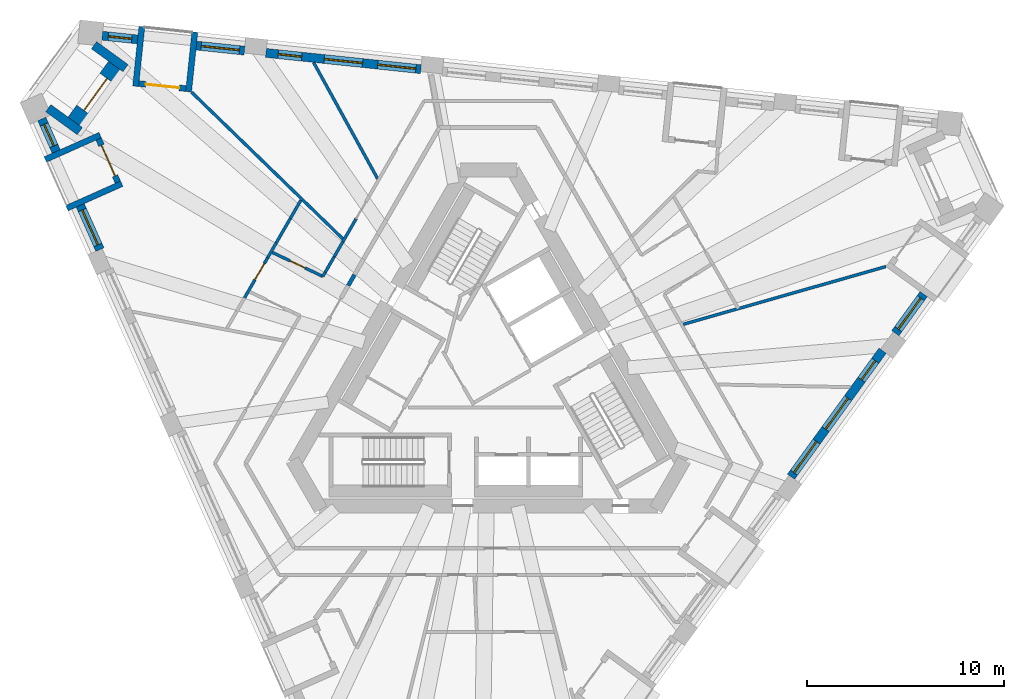
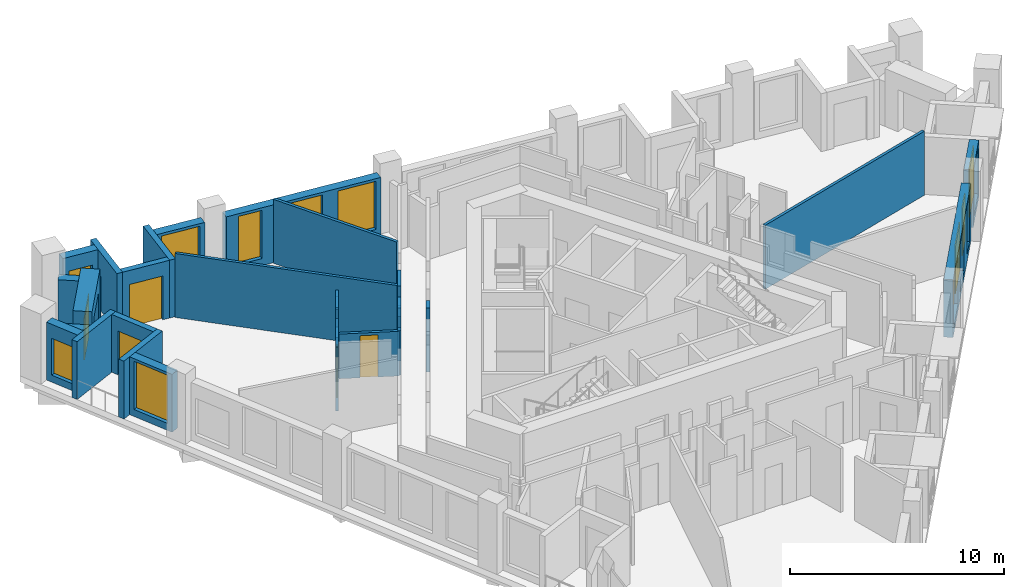
# One storey, part 6 of 11: 29 walls, 11 windows, 5 doors, 16 openings.
"""IFC4 building model written with IfcOpenShell, lengths in metres."""

from ifc_helpers import new_model, si_unit, direction, frame, frame_2d, origin, place, context, subcontext, project, spatial, rectangle, extrude, material, layer, layer_set, type_object, element, fill, save


model = new_model("IFC4")

# Units and contexts
model_context = context("Model", 3, precision=1e-05, world=origin(), true_north=direction((0.0, 1.0)))
body_context = subcontext(model_context, "Body", "Model", "MODEL_VIEW")
ifc_project = project(units=[si_unit("LENGTHUNIT", "METRE"), si_unit("AREAUNIT", "SQUARE_METRE"), si_unit("VOLUMEUNIT", "CUBIC_METRE"), si_unit("PLANEANGLEUNIT", "RADIAN"), si_unit("MASSUNIT", "GRAM", prefix="KILO")], contexts=[model_context])

# Site, building, storey
site_placement = place(None, origin())
site = spatial("IfcSite", under=ifc_project, at=site_placement, CompositionType="ELEMENT")
building_placement = place(site_placement, origin())
building = spatial("IfcBuilding", under=site, at=building_placement, Name="Tramontana Tower", CompositionType="ELEMENT")
storey_placement = place(building_placement, frame((0.0, 0.0, 257.199951171875)))
storey = spatial("IfcBuildingStorey", under=building, at=storey_placement, Name="L60", CompositionType="ELEMENT", Elevation=257.199951171875)

# Wall
ifc_material_1 = material(Name="Blockwork", Category="masonry")
ifc_layer_1 = layer(ifc_material_1, 0.199951171875)
ifc_layer_set_1 = layer_set([ifc_layer_1], Name="ENTRY WALL 200")
wall_type_1 = type_object("IfcWallType", Name="ENTRY WALL 200", PredefinedType="SOLIDWALL", material=ifc_layer_set_1)
wall_1_placement = place(storey_placement, frame((-7.11181640625, 4.78173828125, 0.0), z_axis=(0.0, 0.0, 1.0), x_axis=(0.499956208541, 0.866050685319, 0.0)))
element("IfcWall", 1, at=wall_1_placement, inside=storey, type_object=wall_type_1, Name="Wall v61-ew3-6", PredefinedType="SOLIDWALL", context=body_context, shape_type="SweptSolid", body=[
    extrude(rectangle(XDim=0.6328125, YDim=0.199951171875, at=frame_2d((0.31640625, 0.0))), origin(), (0.0, 0.0, 1.0), 3.650146484375),
])

# Wall, opening, window
ifc_material_2 = material(Name="Precast concrete 60 MPa", Category="concrete")
ifc_layer_2 = layer(ifc_material_2, 0.449951171875)
ifc_layer_set_2 = layer_set([ifc_layer_2], Name="Precast concrete 60 MPa, 450 mm")
wall_type_2 = type_object("IfcWallType", Name="EW1 Stone-faced precast wall 450", PredefinedType="SOLIDWALL", material=ifc_layer_set_2)
wall_2_placement = place(storey_placement, frame((-22.67041015625, 13.240478515625, 0.0), z_axis=(0.0, 0.0, 1.0), x_axis=(0.406779346191, -0.913526443795, 0.0)))
wall_2 = element("IfcWall", 2, at=wall_2_placement, inside=storey, type_object=wall_type_2, Name="External wall L60 face 0 bay 1", PredefinedType="SOLIDWALL", context=body_context, shape_type="SweptSolid", body=[
    extrude(rectangle(XDim=1.80224609375, YDim=0.449951171875, at=frame_2d((0.901123046875, 0.0))), origin(), (0.0, 0.0, 1.0), 3.300048828125),
])
opening_1_placement = place(wall_2_placement, frame((0.301025390625, 0.0, 0.39990234375)))
opening_1 = element("IfcOpeningElement", 3, at=opening_1_placement, cuts=wall_2, Name="Opening N3L", PredefinedType="OPENING", context=body_context, shape_type="SweptSolid", body=[
    extrude(rectangle(XDim=1.199951171875, YDim=2.10009765625, at=frame_2d((0.60009765625, 1.050048828125))), frame((0.0, 0.23486328125, 0.0), z_axis=(0.0, -1.0, 0.0), x_axis=(1.0, 0.0, 0.0)), (0.0, 0.0, 1.0), 0.469970703125),
])
ifc_material_3 = material(Name="Aluminum frame, double glazing unit", Category="aluminium")
window_type_1 = type_object("IfcWindowType", Name="N3L Window 1.2 x 2.1", PartitioningType="SINGLE_PANEL", PredefinedType="WINDOW", material=ifc_material_3)
window_1_placement = place(opening_1_placement, origin())
window_1 = element("IfcWindow", 4, at=window_1_placement, inside=storey, type_object=window_type_1, Name="Window N3L L60 face 0 module 1", OverallHeight=2.10009765625, OverallWidth=1.199951171875, PartitioningType="SINGLE_PANEL", PredefinedType="WINDOW", context=body_context, shape_type="SweptSolid", body=[
    extrude(rectangle(XDim=1.199951171875, YDim=2.10009765625, at=frame_2d((0.60009765625, 1.050048828125))), frame((0.0, 0.030029296875, 0.0), z_axis=(0.0, -1.0, 0.0), x_axis=(1.0, 0.0, 0.0)), (0.0, 0.0, 1.0), 0.06005859375),
])
fill(opening_1, window_1)

wall_3_placement = place(storey_placement, frame((-20.71630859375, 8.851318359375, 0.0), z_axis=(0.0, 0.0, 1.0), x_axis=(0.406821962592, -0.913507466172, 0.0)))
wall_3 = element("IfcWall", 5, at=wall_3_placement, inside=storey, type_object=wall_type_2, Name="External wall L60 face 0 bay 1", PredefinedType="SOLIDWALL", context=body_context, shape_type="SweptSolid", body=[
    extrude(rectangle(XDim=2.4521484375, YDim=0.449951171875, at=frame_2d((1.22607421875, 0.0))), origin(), (0.0, 0.0, 1.0), 3.300048828125),
])
opening_2_placement = place(wall_3_placement, frame((0.251220703125, 0.0, 0.39990234375)))
opening_2 = element("IfcOpeningElement", 6, at=opening_2_placement, cuts=wall_3, Name="Opening M3", PredefinedType="OPENING", context=body_context, shape_type="SweptSolid", body=[
    extrude(rectangle(XDim=1.949951171875, YDim=2.75, at=frame_2d((0.97509765625, 1.375))), frame((0.0, 0.23486328125, 0.0), z_axis=(0.0, -1.0, 0.0), x_axis=(1.0, 0.0, 0.0)), (0.0, 0.0, 1.0), 0.469970703125),
])
ifc_material_4 = material(Name="Aluminum frame, double glazing unit", Category="aluminium")
window_type_2 = type_object("IfcWindowType", Name="M3 Window 1.95 x 2.75", PartitioningType="SINGLE_PANEL", PredefinedType="WINDOW", material=ifc_material_4)
window_2_placement = place(opening_2_placement, origin())
window_2 = element("IfcWindow", 7, at=window_2_placement, inside=storey, type_object=window_type_2, Name="Window M3 L60 face 0 module 3", OverallHeight=2.75, OverallWidth=1.949951171875, PartitioningType="SINGLE_PANEL", PredefinedType="WINDOW", context=body_context, shape_type="SweptSolid", body=[
    extrude(rectangle(XDim=1.949951171875, YDim=2.75, at=frame_2d((0.97509765625, 1.375))), frame((0.0, 0.030029296875, 0.0), z_axis=(0.0, -1.0, 0.0), x_axis=(1.0, 0.0, 0.0)), (0.0, 0.0, 1.0), 0.06005859375),
])
fill(opening_2, window_2)

# Wall, openings, windows
wall_4_placement = place(storey_placement, frame((15.368408203125, -4.919677734375, 0.0), z_axis=(0.0, 0.0, 1.0), x_axis=(0.587782407267, 0.809019061399, 0.0)))
wall_4 = element("IfcWall", 8, at=wall_4_placement, inside=storey, type_object=wall_type_2, Name="External wall L60 face 1 bay 4", PredefinedType="SOLIDWALL", context=body_context, shape_type="SweptSolid", body=[
    extrude(rectangle(XDim=7.90673828125, YDim=0.449951171875, at=frame_2d((3.953369140625, 0.0))), origin(), (0.0, 0.0, 1.0), 3.300048828125),
])
opening_3_placement = place(wall_4_placement, frame((0.251220703125, 0.0, 0.39990234375)))
opening_3 = element("IfcOpeningElement", 9, at=opening_3_placement, cuts=wall_4, Name="Opening M3", PredefinedType="OPENING", context=body_context, shape_type="SweptSolid", body=[
    extrude(rectangle(XDim=1.949951171875, YDim=2.75, at=frame_2d((0.97509765625, 1.375))), frame((0.0, 0.23486328125, 0.0), z_axis=(0.0, -1.0, 0.0), x_axis=(1.0, 0.0, 0.0)), (0.0, 0.0, 1.0), 0.469970703125),
])
opening_4_placement = place(wall_4_placement, frame((2.978271484375, 0.0, 0.39990234375)))
opening_4 = element("IfcOpeningElement", 10, at=opening_4_placement, cuts=wall_4, Name="Opening M3", PredefinedType="OPENING", context=body_context, shape_type="SweptSolid", body=[
    extrude(rectangle(XDim=1.949951171875, YDim=2.75, at=frame_2d((0.97509765625, 1.375))), frame((0.0, 0.23486328125, 0.0), z_axis=(0.0, -1.0, 0.0), x_axis=(1.0, 0.0, 0.0)), (0.0, 0.0, 1.0), 0.469970703125),
])
opening_5_placement = place(wall_4_placement, frame((6.08056640625, 0.0, 0.39990234375)))
opening_5 = element("IfcOpeningElement", 11, at=opening_5_placement, cuts=wall_4, Name="Opening N3", PredefinedType="OPENING", context=body_context, shape_type="SweptSolid", body=[
    extrude(rectangle(XDim=1.199951171875, YDim=2.75, at=frame_2d((0.60009765625, 1.375))), frame((0.0, 0.23486328125, 0.0), z_axis=(0.0, -1.0, 0.0), x_axis=(1.0, 0.0, 0.0)), (0.0, 0.0, 1.0), 0.469970703125),
])
window_3_placement = place(opening_3_placement, origin())
window_3 = element("IfcWindow", 12, at=window_3_placement, inside=storey, type_object=window_type_2, Name="Window M3 L60 face 1 module 10", OverallHeight=2.75, OverallWidth=1.949951171875, PartitioningType="SINGLE_PANEL", PredefinedType="WINDOW", context=body_context, shape_type="SweptSolid", body=[
    extrude(rectangle(XDim=1.949951171875, YDim=2.75, at=frame_2d((0.97509765625, 1.375))), frame((0.0, 0.030029296875, 0.0), z_axis=(0.0, -1.0, 0.0), x_axis=(1.0, 0.0, 0.0)), (0.0, 0.0, 1.0), 0.06005859375),
])
fill(opening_3, window_3)
window_4_placement = place(opening_4_placement, origin())
window_4 = element("IfcWindow", 13, at=window_4_placement, inside=storey, type_object=window_type_2, Name="Window M3 L60 face 1 module 11", OverallHeight=2.75, OverallWidth=1.949951171875, PartitioningType="SINGLE_PANEL", PredefinedType="WINDOW", context=body_context, shape_type="SweptSolid", body=[
    extrude(rectangle(XDim=1.949951171875, YDim=2.75, at=frame_2d((0.97509765625, 1.375))), frame((0.0, 0.030029296875, 0.0), z_axis=(0.0, -1.0, 0.0), x_axis=(1.0, 0.0, 0.0)), (0.0, 0.0, 1.0), 0.06005859375),
])
fill(opening_4, window_4)
ifc_material_5 = material(Name="Aluminum frame, double glazing unit", Category="aluminium")
window_type_3 = type_object("IfcWindowType", Name="N3 Window 1.2 x 2.75", PartitioningType="SINGLE_PANEL", PredefinedType="WINDOW", material=ifc_material_5)
window_5_placement = place(opening_5_placement, origin())
window_5 = element("IfcWindow", 14, at=window_5_placement, inside=storey, type_object=window_type_3, Name="Window N3 L60 face 1 module 12", OverallHeight=2.75, OverallWidth=1.199951171875, PartitioningType="SINGLE_PANEL", PredefinedType="WINDOW", context=body_context, shape_type="SweptSolid", body=[
    extrude(rectangle(XDim=1.199951171875, YDim=2.75, at=frame_2d((0.60009765625, 1.375))), frame((0.0, 0.030029296875, 0.0), z_axis=(0.0, -1.0, 0.0), x_axis=(1.0, 0.0, 0.0)), (0.0, 0.0, 1.0), 0.06005859375),
])
fill(opening_5, window_5)

# Wall, opening, window
wall_5_placement = place(storey_placement, frame((20.662353515625, 2.366943359375, 0.0), z_axis=(0.0, 0.0, 1.0), x_axis=(0.587792773076, 0.809011530152, 0.0)))
wall_5 = element("IfcWall", 15, at=wall_5_placement, inside=storey, type_object=wall_type_2, Name="External wall L60 face 1 bay 5", PredefinedType="SOLIDWALL", context=body_context, shape_type="SweptSolid", body=[
    extrude(rectangle(XDim=2.4521484375, YDim=0.449951171875, at=frame_2d((1.22607421875, 0.0))), origin(), (0.0, 0.0, 1.0), 3.300048828125),
])
opening_6_placement = place(wall_5_placement, frame((0.251220703125, 0.0, 0.39990234375)))
opening_6 = element("IfcOpeningElement", 16, at=opening_6_placement, cuts=wall_5, Name="Opening M3", PredefinedType="OPENING", context=body_context, shape_type="SweptSolid", body=[
    extrude(rectangle(XDim=1.949951171875, YDim=2.75, at=frame_2d((0.97509765625, 1.375))), frame((0.0, 0.23486328125, 0.0), z_axis=(0.0, -1.0, 0.0), x_axis=(1.0, 0.0, 0.0)), (0.0, 0.0, 1.0), 0.469970703125),
])
window_6_placement = place(opening_6_placement, origin())
window_6 = element("IfcWindow", 17, at=window_6_placement, inside=storey, type_object=window_type_2, Name="Window M3 L60 face 1 module 13", OverallHeight=2.75, OverallWidth=1.949951171875, PartitioningType="SINGLE_PANEL", PredefinedType="WINDOW", context=body_context, shape_type="SweptSolid", body=[
    extrude(rectangle(XDim=1.949951171875, YDim=2.75, at=frame_2d((0.97509765625, 1.375))), frame((0.0, 0.030029296875, 0.0), z_axis=(0.0, -1.0, 0.0), x_axis=(1.0, 0.0, 0.0)), (0.0, 0.0, 1.0), 0.06005859375),
])
fill(opening_6, window_6)

# Wall, openings, windows
wall_6_placement = place(storey_placement, frame((-3.423828125, 15.769287109375, 0.0), z_axis=(0.0, 0.0, 1.0), x_axis=(-0.994522528385, 0.104522440343, 0.0)))
wall_6 = element("IfcWall", 18, at=wall_6_placement, inside=storey, type_object=wall_type_2, Name="External wall L60 face 2 bay 4", PredefinedType="SOLIDWALL", context=body_context, shape_type="SweptSolid", body=[
    extrude(rectangle(XDim=7.906494140625, YDim=0.449951171875, at=frame_2d((3.953125, 0.0))), origin(), (0.0, 0.0, 1.0), 3.300048828125),
])
opening_7_placement = place(wall_6_placement, frame((0.251220703125, 0.0, 0.39990234375)))
opening_7 = element("IfcOpeningElement", 19, at=opening_7_placement, cuts=wall_6, Name="Opening M3", PredefinedType="OPENING", context=body_context, shape_type="SweptSolid", body=[
    extrude(rectangle(XDim=1.949951171875, YDim=2.75, at=frame_2d((0.97509765625, 1.375))), frame((0.0, 0.23486328125, 0.0), z_axis=(0.0, -1.0, 0.0), x_axis=(1.0, 0.0, 0.0)), (0.0, 0.0, 1.0), 0.469970703125),
])
opening_8_placement = place(wall_6_placement, frame((2.978271484375, 0.0, 0.39990234375)))
opening_8 = element("IfcOpeningElement", 20, at=opening_8_placement, cuts=wall_6, Name="Opening M3", PredefinedType="OPENING", context=body_context, shape_type="SweptSolid", body=[
    extrude(rectangle(XDim=1.949951171875, YDim=2.75, at=frame_2d((0.97509765625, 1.375))), frame((0.0, 0.23486328125, 0.0), z_axis=(0.0, -1.0, 0.0), x_axis=(1.0, 0.0, 0.0)), (0.0, 0.0, 1.0), 0.469970703125),
])
opening_9_placement = place(wall_6_placement, frame((6.08056640625, 0.0, 0.39990234375)))
opening_9 = element("IfcOpeningElement", 21, at=opening_9_placement, cuts=wall_6, Name="Opening N3", PredefinedType="OPENING", context=body_context, shape_type="SweptSolid", body=[
    extrude(rectangle(XDim=1.199951171875, YDim=2.75, at=frame_2d((0.60009765625, 1.375))), frame((0.0, 0.23486328125, 0.0), z_axis=(0.0, -1.0, 0.0), x_axis=(1.0, 0.0, 0.0)), (0.0, 0.0, 1.0), 0.469970703125),
])
window_7_placement = place(opening_7_placement, origin())
window_7 = element("IfcWindow", 22, at=window_7_placement, inside=storey, type_object=window_type_2, Name="Window M3 L60 face 2 module 10", OverallHeight=2.75, OverallWidth=1.949951171875, PartitioningType="SINGLE_PANEL", PredefinedType="WINDOW", context=body_context, shape_type="SweptSolid", body=[
    extrude(rectangle(XDim=1.949951171875, YDim=2.75, at=frame_2d((0.97509765625, 1.375))), frame((0.0, 0.030029296875, 0.0), z_axis=(0.0, -1.0, 0.0), x_axis=(1.0, 0.0, 0.0)), (0.0, 0.0, 1.0), 0.06005859375),
])
fill(opening_7, window_7)
window_8_placement = place(opening_8_placement, origin())
window_8 = element("IfcWindow", 23, at=window_8_placement, inside=storey, type_object=window_type_2, Name="Window M3 L60 face 2 module 11", OverallHeight=2.75, OverallWidth=1.949951171875, PartitioningType="SINGLE_PANEL", PredefinedType="WINDOW", context=body_context, shape_type="SweptSolid", body=[
    extrude(rectangle(XDim=1.949951171875, YDim=2.75, at=frame_2d((0.97509765625, 1.375))), frame((0.0, 0.030029296875, 0.0), z_axis=(0.0, -1.0, 0.0), x_axis=(1.0, 0.0, 0.0)), (0.0, 0.0, 1.0), 0.06005859375),
])
fill(opening_8, window_8)
window_9_placement = place(opening_9_placement, origin())
window_9 = element("IfcWindow", 24, at=window_9_placement, inside=storey, type_object=window_type_3, Name="Window N3 L60 face 2 module 12", OverallHeight=2.75, OverallWidth=1.199951171875, PartitioningType="SINGLE_PANEL", PredefinedType="WINDOW", context=body_context, shape_type="SweptSolid", body=[
    extrude(rectangle(XDim=1.199951171875, YDim=2.75, at=frame_2d((0.60009765625, 1.375))), frame((0.0, 0.030029296875, 0.0), z_axis=(0.0, -1.0, 0.0), x_axis=(1.0, 0.0, 0.0)), (0.0, 0.0, 1.0), 0.06005859375),
])
fill(opening_9, window_9)

# Wall, opening, window
wall_7_placement = place(storey_placement, frame((-12.381103515625, 16.710693359375, 0.0), z_axis=(0.0, 0.0, 1.0), x_axis=(-0.994520717537, 0.104539668977, 0.0)))
wall_7 = element("IfcWall", 25, at=wall_7_placement, inside=storey, type_object=wall_type_2, Name="External wall L60 face 2 bay 5", PredefinedType="SOLIDWALL", context=body_context, shape_type="SweptSolid", body=[
    extrude(rectangle(XDim=2.4521484375, YDim=0.449951171875, at=frame_2d((1.22607421875, 0.0))), origin(), (0.0, 0.0, 1.0), 3.300048828125),
])
opening_10_placement = place(wall_7_placement, frame((0.251220703125, 0.0, 0.39990234375)))
opening_10 = element("IfcOpeningElement", 26, at=opening_10_placement, cuts=wall_7, Name="Opening M3", PredefinedType="OPENING", context=body_context, shape_type="SweptSolid", body=[
    extrude(rectangle(XDim=1.949951171875, YDim=2.75, at=frame_2d((0.97509765625, 1.375))), frame((0.0, 0.23486328125, 0.0), z_axis=(0.0, -1.0, 0.0), x_axis=(1.0, 0.0, 0.0)), (0.0, 0.0, 1.0), 0.469970703125),
])
window_10_placement = place(opening_10_placement, origin())
window_10 = element("IfcWindow", 27, at=window_10_placement, inside=storey, type_object=window_type_2, Name="Window M3 L60 face 2 module 13", OverallHeight=2.75, OverallWidth=1.949951171875, PartitioningType="SINGLE_PANEL", PredefinedType="WINDOW", context=body_context, shape_type="SweptSolid", body=[
    extrude(rectangle(XDim=1.949951171875, YDim=2.75, at=frame_2d((0.97509765625, 1.375))), frame((0.0, 0.030029296875, 0.0), z_axis=(0.0, -1.0, 0.0), x_axis=(1.0, 0.0, 0.0)), (0.0, 0.0, 1.0), 0.06005859375),
])
fill(opening_10, window_10)

wall_8_placement = place(storey_placement, frame((-17.8056640625, 17.28076171875, 0.0), z_axis=(0.0, 0.0, 1.0), x_axis=(-0.994515840559, 0.104586054885, 0.0)))
wall_8 = element("IfcWall", 28, at=wall_8_placement, inside=storey, type_object=wall_type_2, Name="External wall L60 face 2 bay 5", PredefinedType="SOLIDWALL", context=body_context, shape_type="SweptSolid", body=[
    extrude(rectangle(XDim=1.802001953125, YDim=0.449951171875, at=frame_2d((0.90087890625, 0.0))), origin(), (0.0, 0.0, 1.0), 3.300048828125),
])
opening_11_placement = place(wall_8_placement, frame((0.301025390625, 0.0, 0.39990234375)))
opening_11 = element("IfcOpeningElement", 29, at=opening_11_placement, cuts=wall_8, Name="Opening N3L", PredefinedType="OPENING", context=body_context, shape_type="SweptSolid", body=[
    extrude(rectangle(XDim=1.199951171875, YDim=2.10009765625, at=frame_2d((0.60009765625, 1.050048828125))), frame((0.0, 0.23486328125, 0.0), z_axis=(0.0, -1.0, 0.0), x_axis=(1.0, 0.0, 0.0)), (0.0, 0.0, 1.0), 0.469970703125),
])
window_11_placement = place(opening_11_placement, origin())
window_11 = element("IfcWindow", 30, at=window_11_placement, inside=storey, type_object=window_type_1, Name="Window N3L L60 face 2 module 15", OverallHeight=2.10009765625, OverallWidth=1.199951171875, PartitioningType="SINGLE_PANEL", PredefinedType="WINDOW", context=body_context, shape_type="SweptSolid", body=[
    extrude(rectangle(XDim=1.199951171875, YDim=2.10009765625, at=frame_2d((0.60009765625, 1.050048828125))), frame((0.0, 0.030029296875, 0.0), z_axis=(0.0, -1.0, 0.0), x_axis=(1.0, 0.0, 0.0)), (0.0, 0.0, 1.0), 0.06005859375),
])
fill(opening_11, window_11)

# Walls
for number, where, z_axis, x_axis, name in (
    (31, (-22.34033203125, 13.7900390625, 0.0), (0.0, 0.0, 1.0), (0.809040012586, -0.587753569138, 0.0), "Corner loggia side wall L60 K60l"),
    (32, (-20.0185546875, 16.985595703125, 0.0), (0.0, 0.0, 1.0), (0.809040012586, -0.587753569138, 0.0), "Corner loggia side wall L60 K60r"),
):
    element("IfcWall", number, at=place(storey_placement, frame(where, z_axis=z_axis, x_axis=x_axis)), inside=storey, type_object=wall_type_2, Name=name, PredefinedType="SOLIDWALL", context=body_context, shape_type="SweptSolid", body=[
        extrude(rectangle(XDim=1.979248046875, YDim=0.449951171875, at=frame_2d((0.98974609375, 0.0))), origin(), (0.0, 0.0, 1.0), 2.550048828125),
    ])

# Wall, opening, door
ifc_material_6 = material(Name="Precast concrete 60 MPa", Category="concrete")
ifc_layer_3 = layer(ifc_material_6, 0.89990234375)
ifc_layer_set_3 = layer_set([ifc_layer_3], Name="EW2 Stone-faced corner loggia wall 900")
wall_type_3 = type_object("IfcWallType", Name="EW2 Stone-faced corner loggia wall 900", PredefinedType="SOLIDWALL", material=ifc_layer_set_3)
wall_9_placement = place(storey_placement, frame((-20.970947265625, 13.0732421875, 0.0), z_axis=(0.0, 0.0, 1.0), x_axis=(0.587810807352, 0.808998426921, 0.0)))
wall_9 = element("IfcWall", 33, at=wall_9_placement, inside=storey, type_object=wall_type_3, Name="Corner loggia wall L60 K60", PredefinedType="SOLIDWALL", context=body_context, shape_type="SweptSolid", body=[
    extrude(rectangle(XDim=3.5, YDim=0.89990234375, at=frame_2d((1.75, 0.0))), origin(), (0.0, 0.0, 1.0), 3.300048828125),
])
opening_12_placement = place(wall_9_placement, frame((0.75, 0.0, 0.0)))
opening_12 = element("IfcOpeningElement", 34, at=opening_12_placement, cuts=wall_9, Name="Opening BD-60C", PredefinedType="OPENING", context=body_context, shape_type="SweptSolid", body=[
    extrude(rectangle(XDim=2.0, YDim=2.39990234375, at=frame_2d((1.0, 1.199951171875))), frame((0.0, 0.4599609375, 0.0), z_axis=(0.0, -1.0, 0.0), x_axis=(1.0, 0.0, 0.0)), (0.0, 0.0, 1.0), 0.919921875),
])
ifc_material_7 = material(Name="Aluminum frame, double glazing unit", Category="aluminium")
door_type_1 = type_object("IfcDoorType", Name="BC1 Sliding door 2 x 2.4", OperationType="SLIDING_TO_LEFT", PredefinedType="DOOR", material=ifc_material_7)
door_1_placement = place(opening_12_placement, origin())
door_1 = element("IfcDoor", 35, at=door_1_placement, inside=storey, type_object=door_type_1, Name="Corner loggia door L60 K60", OperationType="SLIDING_TO_LEFT", OverallHeight=2.39990234375, OverallWidth=2.0, PredefinedType="DOOR", context=body_context, shape_type="SweptSolid", body=[
    extrude(rectangle(XDim=2.0, YDim=2.39990234375, at=frame_2d((1.0, 1.199951171875))), frame((0.0, 0.02490234375, 0.0), z_axis=(0.0, -1.0, 0.0), x_axis=(1.0, 0.0, 0.0)), (0.0, 0.0, 1.0), 0.050048828125),
])
fill(opening_12, door_1)

ifc_material_8 = material(Name="Precast concrete 60 MPa", Category="concrete")
ifc_layer_4 = layer(ifc_material_8, 0.300048828125)
ifc_layer_set_4 = layer_set([ifc_layer_4], Name="LW1 Stone-faced loggia wall 300")
wall_type_4 = type_object("IfcWallType", Name="LW1 Stone-faced loggia wall 300", PredefinedType="SOLIDWALL", material=ifc_layer_set_4)
wall_10_placement = place(storey_placement, frame((-19.78271484375, 12.22509765625, 0.0), z_axis=(0.0, 0.0, 1.0), x_axis=(0.406723017018, -0.913551524232, 0.0)))
wall_10 = element("IfcWall", 36, at=wall_10_placement, inside=storey, type_object=wall_type_4, Name="Loggia wall L60 G6S0.1", PredefinedType="SOLIDWALL", context=body_context, shape_type="SweptSolid", body=[
    extrude(rectangle(XDim=2.40234375, YDim=0.300048828125, at=frame_2d((1.201171875, 0.0))), origin(), (0.0, 0.0, 1.0), 3.300048828125),
])
opening_13_placement = place(wall_10_placement, frame((0.35107421875, 0.0, 0.0)))
opening_13 = element("IfcOpeningElement", 37, at=opening_13_placement, cuts=wall_10, Name="Opening BD-6S0-01", PredefinedType="OPENING", context=body_context, shape_type="SweptSolid", body=[
    extrude(rectangle(XDim=1.699951171875, YDim=2.5, at=frame_2d((0.85009765625, 1.25))), frame((0.0, 0.159912109375, 0.0), z_axis=(0.0, -1.0, 0.0), x_axis=(1.0, 0.0, 0.0)), (0.0, 0.0, 1.0), 0.320068359375),
])
ifc_material_9 = material(Name="Aluminum frame, double glazing unit", Category="aluminium")
door_type_2 = type_object("IfcDoorType", Name="BD3 Sliding door 1.7 x 2.5", OperationType="SLIDING_TO_LEFT", PredefinedType="DOOR", material=ifc_material_9)
door_2_placement = place(opening_13_placement, origin())
door_2 = element("IfcDoor", 38, at=door_2_placement, inside=storey, type_object=door_type_2, Name="Loggia door L60 G6S0.1", OperationType="SLIDING_TO_LEFT", OverallHeight=2.5, OverallWidth=1.699951171875, PredefinedType="DOOR", context=body_context, shape_type="SweptSolid", body=[
    extrude(rectangle(XDim=1.699951171875, YDim=2.5, at=frame_2d((0.85009765625, 1.25))), frame((0.0, 0.02490234375, 0.0), z_axis=(0.0, -1.0, 0.0), x_axis=(1.0, 0.0, 0.0)), (0.0, 0.0, 1.0), 0.050048828125),
])
fill(opening_13, door_2)

# Walls
wall_11_placement = place(storey_placement, frame((-22.492919921875, 11.1826171875, 0.0), z_axis=(0.0, 0.0, 1.0), x_axis=(0.913557205168, 0.406710256677, 0.0)))
element("IfcWall", 39, at=wall_11_placement, inside=storey, type_object=wall_type_4, Name="Loggia return L60 G6S0.1a", PredefinedType="SOLIDWALL", context=body_context, shape_type="SweptSolid", body=[
    extrude(rectangle(XDim=3.050048828125, YDim=0.300048828125, at=frame_2d((1.52490234375, 0.0))), origin(), (0.0, 0.0, 1.0), 3.300048828125),
])
wall_12_placement = place(storey_placement, frame((-21.393798828125, 8.7138671875, 0.0), z_axis=(0.0, 0.0, 1.0), x_axis=(0.91354396316, 0.406739999721, 0.0)))
element("IfcWall", 40, at=wall_12_placement, inside=storey, type_object=wall_type_4, Name="Loggia return L60 G6S0.1b", PredefinedType="SOLIDWALL", context=body_context, shape_type="SweptSolid", body=[
    extrude(rectangle(XDim=3.0498046875, YDim=0.300048828125, at=frame_2d((1.52490234375, 0.0))), origin(), (0.0, 0.0, 1.0), 3.300048828125),
])

# Wall, opening, door
wall_13_placement = place(storey_placement, frame((-15.350830078125, 14.78564453125, 0.0), z_axis=(0.0, 0.0, 1.0), x_axis=(-0.994526595554, 0.104483734311, 0.0)))
wall_13 = element("IfcWall", 41, at=wall_13_placement, inside=storey, type_object=wall_type_4, Name="Loggia wall L60 G6S2.13", PredefinedType="SOLIDWALL", context=body_context, shape_type="SweptSolid", body=[
    extrude(rectangle(XDim=2.402099609375, YDim=0.300048828125, at=frame_2d((1.201171875, 0.0))), origin(), (0.0, 0.0, 1.0), 3.300048828125),
])
opening_14_placement = place(wall_13_placement, frame((0.35107421875, 0.0, 0.0)))
opening_14 = element("IfcOpeningElement", 42, at=opening_14_placement, cuts=wall_13, Name="Opening BD-6S2-13", PredefinedType="OPENING", context=body_context, shape_type="SweptSolid", body=[
    extrude(rectangle(XDim=1.699951171875, YDim=2.5, at=frame_2d((0.85009765625, 1.25))), frame((0.0, 0.159912109375, 0.0), z_axis=(0.0, -1.0, 0.0), x_axis=(1.0, 0.0, 0.0)), (0.0, 0.0, 1.0), 0.320068359375),
])
door_3_placement = place(opening_14_placement, origin())
door_3 = element("IfcDoor", 43, at=door_3_placement, inside=storey, type_object=door_type_2, Name="Loggia door L60 G6S2.13", OperationType="SLIDING_TO_LEFT", OverallHeight=2.5, OverallWidth=1.699951171875, PredefinedType="DOOR", context=body_context, shape_type="SweptSolid", body=[
    extrude(rectangle(XDim=1.699951171875, YDim=2.5, at=frame_2d((0.85009765625, 1.25))), frame((0.0, 0.02490234375, 0.0), z_axis=(0.0, -1.0, 0.0), x_axis=(1.0, 0.0, 0.0)), (0.0, 0.0, 1.0), 0.050048828125),
])
fill(opening_14, door_3)

# Walls
wall_14_placement = place(storey_placement, frame((-14.8984375, 17.654052734375, 0.0), z_axis=(0.0, 0.0, 1.0), x_axis=(-0.104543108891, -0.994520355942, 0.0)))
element("IfcWall", 44, at=wall_14_placement, inside=storey, type_object=wall_type_4, Name="Loggia return L60 G6S2.13a", PredefinedType="SOLIDWALL", context=body_context, shape_type="SweptSolid", body=[
    extrude(rectangle(XDim=3.0498046875, YDim=0.300048828125, at=frame_2d((1.52490234375, 0.0))), origin(), (0.0, 0.0, 1.0), 3.300048828125),
])
wall_15_placement = place(storey_placement, frame((-17.5859375, 17.9365234375, 0.0), z_axis=(0.0, 0.0, 1.0), x_axis=(-0.104534786906, -0.994521230707, 0.0)))
element("IfcWall", 45, at=wall_15_placement, inside=storey, type_object=wall_type_4, Name="Loggia return L60 G6S2.13b", PredefinedType="SOLIDWALL", context=body_context, shape_type="SweptSolid", body=[
    extrude(rectangle(XDim=3.050048828125, YDim=0.300048828125, at=frame_2d((1.52490234375, 0.0))), origin(), (0.0, 0.0, 1.0), 3.300048828125),
])
ifc_material_10 = material(Name="Gypsum board partition")
ifc_layer_5 = layer(ifc_material_10, 0.14990234375)
ifc_layer_set_5 = layer_set([ifc_layer_5], Name="PARTITION 150")
wall_type_5 = type_object("IfcWallType", Name="PARTITION 150", PredefinedType="PARTITIONING", material=ifc_layer_set_5)
wall_16_placement = place(storey_placement, frame((-15.068115234375, 14.60498046875, 0.0), z_axis=(0.0, 0.0, 1.0), x_axis=(0.718053113918, -0.695988308517, 0.0)))
element("IfcWall", 46, at=wall_16_placement, inside=storey, type_object=wall_type_5, Name="Wall v61-pw00", PredefinedType="PARTITIONING", context=body_context, shape_type="SweptSolid", body=[
    extrude(rectangle(XDim=10.699462890625, YDim=0.14990234375, at=frame_2d((5.349609375, 0.0))), origin(), (0.0, 0.0, 1.0), 3.650146484375),
])

# Wall, opening, door
wall_17_placement = place(storey_placement, frame((-12.376220703125, 4.16357421875, 0.0), z_axis=(0.0, 0.0, 1.0), x_axis=(0.499998569178, 0.866026229868, 0.0)))
wall_17 = element("IfcWall", 47, at=wall_17_placement, inside=storey, type_object=wall_type_5, Name="Wall v61-pw02-2", PredefinedType="PARTITIONING", context=body_context, shape_type="SweptSolid", body=[
    extrude(rectangle(XDim=2.34716796875, YDim=0.14990234375, at=frame_2d((1.173583984375, 0.0))), origin(), (0.0, 0.0, 1.0), 3.650146484375),
])
opening_15_placement = place(wall_17_placement, frame((1.06396484375, 0.0, 0.0)))
opening_15 = element("IfcOpeningElement", 48, at=opening_15_placement, cuts=wall_17, Name="Opening B6B-03", PredefinedType="OPENING", context=body_context, shape_type="SweptSolid", body=[
    extrude(rectangle(XDim=0.949951171875, YDim=2.39990234375, at=frame_2d((0.47509765625, 1.199951171875))), frame((0.0, 0.0849609375, 0.0), z_axis=(0.0, -1.0, 0.0), x_axis=(1.0, 0.0, 0.0)), (0.0, 0.0, 1.0), 0.169921875),
])
ifc_material_11 = material(Name="Painted timber", Category="wood")
door_type_3 = type_object("IfcDoorType", Name="DOOR ROOM 950", OperationType="SINGLE_SWING_LEFT", PredefinedType="DOOR", material=ifc_material_11)
door_4_placement = place(opening_15_placement, origin())
door_4 = element("IfcDoor", 49, at=door_4_placement, inside=storey, type_object=door_type_3, Name="Door B6B-03", OperationType="SINGLE_SWING_LEFT", OverallHeight=2.39990234375, OverallWidth=0.949951171875, PredefinedType="DOOR", context=body_context, shape_type="SweptSolid", body=[
    extrude(rectangle(XDim=0.949951171875, YDim=2.39990234375, at=frame_2d((0.47509765625, 1.199951171875))), frame((0.0, 0.02490234375, 0.0), z_axis=(0.0, -1.0, 0.0), x_axis=(1.0, 0.0, 0.0)), (0.0, 0.0, 1.0), 0.050048828125),
])
fill(opening_15, door_4)

# Walls
wall_18_placement = place(storey_placement, frame((-11.20263671875, 6.1962890625, 0.0), z_axis=(0.0, 0.0, 1.0), x_axis=(0.499980071345, 0.866036909293, 0.0)))
element("IfcWall", 50, at=wall_18_placement, inside=storey, type_object=wall_type_5, Name="Wall v61-pw02-3", PredefinedType="PARTITIONING", context=body_context, shape_type="SweptSolid", body=[
    extrude(rectangle(XDim=0.875, YDim=0.14990234375, at=frame_2d((0.4375, 0.0))), origin(), (0.0, 0.0, 1.0), 2.550048828125),
])
wall_19_placement = place(storey_placement, frame((-10.76513671875, 6.9541015625, 0.0), z_axis=(0.0, 0.0, 1.0), x_axis=(0.500029111807, 0.866008595423, 0.0)))
element("IfcWall", 51, at=wall_19_placement, inside=storey, type_object=wall_type_5, Name="Wall v61-pw02-4", PredefinedType="PARTITIONING", context=body_context, shape_type="SweptSolid", body=[
    extrude(rectangle(XDim=1.42431640625, YDim=0.14990234375, at=frame_2d((0.712158203125, 0.0))), origin(), (0.0, 0.0, 1.0), 3.650146484375),
])
wall_20_placement = place(storey_placement, frame((-10.052978515625, 8.1875, 0.0), z_axis=(0.0, 0.0, 1.0), x_axis=(0.499827299837, 0.866125089313, 0.0)))
element("IfcWall", 52, at=wall_20_placement, inside=storey, type_object=wall_type_5, Name="Wall v61-pw02-5", PredefinedType="PARTITIONING", context=body_context, shape_type="SweptSolid", body=[
    extrude(rectangle(XDim=1.0751953125, YDim=0.14990234375, at=frame_2d((0.53759765625, 0.0))), origin(), (0.0, 0.0, 1.0), 2.550048828125),
])

# Wall, opening, door
wall_21_placement = place(storey_placement, frame((-10.9619140625, 6.46337890625, 0.0), z_axis=(0.0, 0.0, 1.0), x_axis=(0.903783433079, -0.427990077096, 0.0)))
wall_21 = element("IfcWall", 53, at=wall_21_placement, inside=storey, type_object=wall_type_5, Name="Wall v61-pw04-0", PredefinedType="PARTITIONING", context=body_context, shape_type="SweptSolid", body=[
    extrude(rectangle(XDim=2.83447265625, YDim=0.14990234375, at=frame_2d((1.417236328125, 0.0))), origin(), (0.0, 0.0, 1.0), 2.550048828125),
])
opening_16_placement = place(wall_21_placement, frame((0.9921875, 0.0, 0.0)))
opening_16 = element("IfcOpeningElement", 54, at=opening_16_placement, cuts=wall_21, Name="Opening B6B-02", PredefinedType="OPENING", context=body_context, shape_type="SweptSolid", body=[
    extrude(rectangle(XDim=0.85009765625, YDim=2.39990234375, at=frame_2d((0.425048828125, 1.199951171875))), frame((0.0, 0.0849609375, 0.0), z_axis=(0.0, -1.0, 0.0), x_axis=(1.0, 0.0, 0.0)), (0.0, 0.0, 1.0), 0.169921875),
])
ifc_material_12 = material(Name="Painted timber", Category="wood")
door_type_4 = type_object("IfcDoorType", Name="DOOR BATH 850", OperationType="SINGLE_SWING_LEFT", PredefinedType="DOOR", material=ifc_material_12)
door_5_placement = place(opening_16_placement, origin())
door_5 = element("IfcDoor", 55, at=door_5_placement, inside=storey, type_object=door_type_4, Name="Door B6B-02", OperationType="SINGLE_SWING_RIGHT", OverallHeight=2.39990234375, OverallWidth=0.85009765625, PredefinedType="DOOR", context=body_context, shape_type="SweptSolid", body=[
    extrude(rectangle(XDim=0.85009765625, YDim=2.39990234375, at=frame_2d((0.425048828125, 1.199951171875))), frame((0.0, 0.02490234375, 0.0), z_axis=(0.0, -1.0, 0.0), x_axis=(1.0, 0.0, 0.0)), (0.0, 0.0, 1.0), 0.050048828125),
])
fill(opening_16, door_5)

# Walls
wall_22_placement = place(storey_placement, frame((-8.871826171875, 16.11572265625, 0.0), z_axis=(0.0, 0.0, 1.0), x_axis=(0.482252500192, -0.876032263138, 0.0)))
element("IfcWall", 56, at=wall_22_placement, inside=storey, type_object=wall_type_5, Name="Wall v61-pw08", PredefinedType="PARTITIONING", context=body_context, shape_type="SweptSolid", body=[
    extrude(rectangle(XDim=6.73876953125, YDim=0.14990234375, at=frame_2d((3.369384765625, 0.0))), origin(), (0.0, 0.0, 1.0), 3.650146484375),
])
wall_23_placement = place(storey_placement, frame((-8.400146484375, 5.250244140625, 0.0), z_axis=(0.0, 0.0, 1.0), x_axis=(0.499323735398, 0.866415493437, 0.0)))
element("IfcWall", 57, at=wall_23_placement, inside=storey, type_object=wall_type_5, Name="Wall v61-pw09-0", PredefinedType="PARTITIONING", context=body_context, shape_type="SweptSolid", body=[
    extrude(rectangle(XDim=0.247314453125, YDim=0.14990234375, at=frame_2d((0.12353515625, 0.0))), origin(), (0.0, 0.0, 1.0), 2.550048828125),
])
wall_24_placement = place(storey_placement, frame((-8.276611328125, 5.464599609375, 0.0), z_axis=(0.0, 0.0, 1.0), x_axis=(0.50004290449, 0.866000631449, 0.0)))
element("IfcWall", 58, at=wall_24_placement, inside=storey, type_object=wall_type_5, Name="Wall v61-pw09-1", PredefinedType="PARTITIONING", context=body_context, shape_type="SweptSolid", body=[
    extrude(rectangle(XDim=0.9013671875, YDim=0.14990234375, at=frame_2d((0.45068359375, 0.0))), origin(), (0.0, 0.0, 1.0), 3.650146484375),
])
wall_25_placement = place(storey_placement, frame((-7.825927734375, 6.2451171875, 0.0), z_axis=(0.0, 0.0, 1.0), x_axis=(0.499967368674, 0.86604424267, 0.0)))
element("IfcWall", 59, at=wall_25_placement, inside=storey, type_object=wall_type_5, Name="Wall v61-pw09-2", PredefinedType="PARTITIONING", context=body_context, shape_type="SweptSolid", body=[
    extrude(rectangle(XDim=0.8916015625, YDim=0.14990234375, at=frame_2d((0.44580078125, 0.0))), origin(), (0.0, 0.0, 1.0), 2.550048828125),
])
wall_26_placement = place(storey_placement, frame((-7.380126953125, 7.017333984375, 0.0), z_axis=(0.0, 0.0, 1.0), x_axis=(0.50009965996, 0.865967857434, 0.0)))
element("IfcWall", 60, at=wall_26_placement, inside=storey, type_object=wall_type_5, Name="Wall v61-pw09-3", PredefinedType="PARTITIONING", context=body_context, shape_type="SweptSolid", body=[
    extrude(rectangle(XDim=1.325927734375, YDim=0.14990234375, at=frame_2d((0.6630859375, 0.0))), origin(), (0.0, 0.0, 1.0), 3.650146484375),
])
wall_27_placement = place(storey_placement, frame((20.182373046875, 5.746826171875, 0.0), z_axis=(0.0, 0.0, 1.0), x_axis=(-0.961769821248, -0.27385910782, 0.0)))
element("IfcWall", 61, at=wall_27_placement, inside=storey, type_object=wall_type_5, Name="Wall v61-pw40", PredefinedType="PARTITIONING", context=body_context, shape_type="SweptSolid", body=[
    extrude(rectangle(XDim=10.699462890625, YDim=0.14990234375, at=frame_2d((5.349609375, 0.0))), origin(), (0.0, 0.0, 1.0), 3.650146484375),
])

save(model, "model.ifc")
